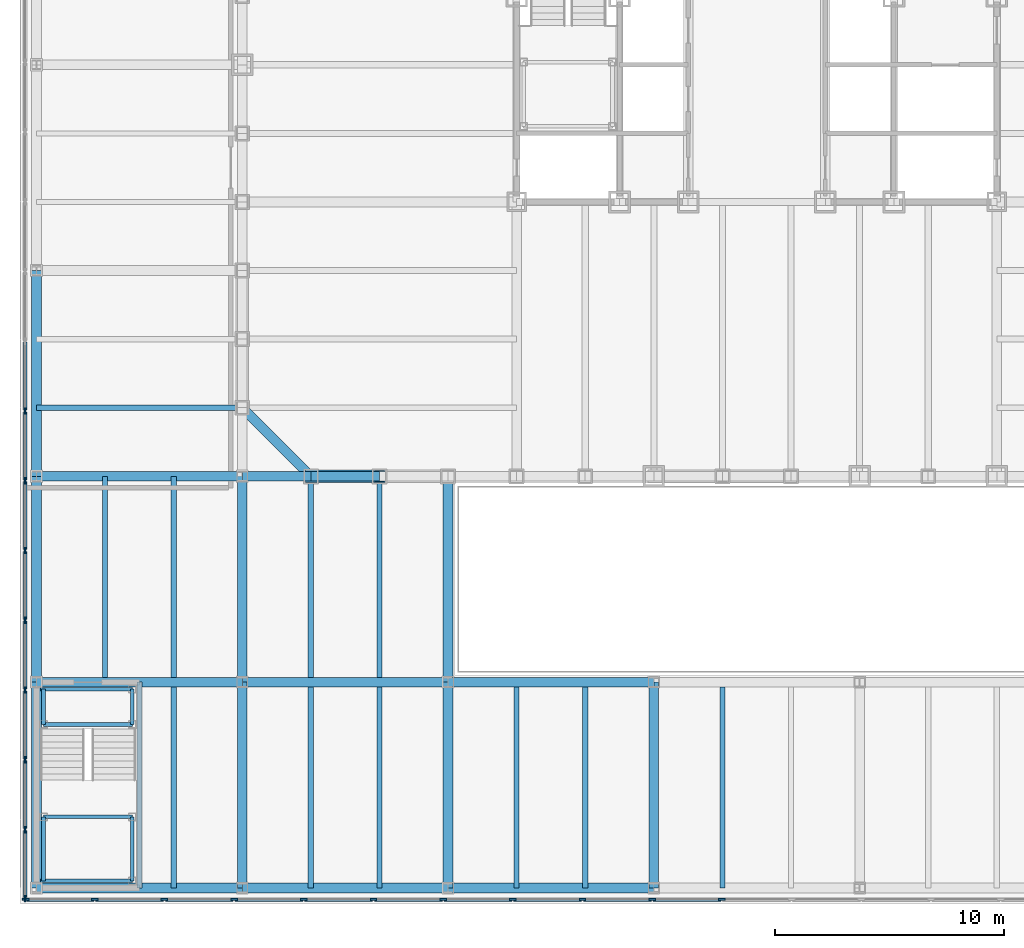
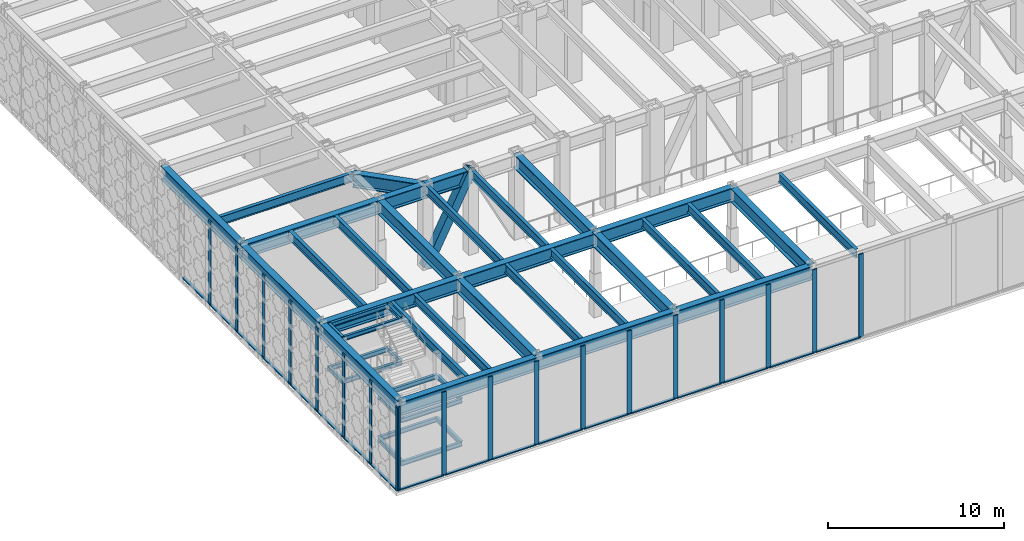
# One storey, part 3 of 32: 46 beams, 38 members, 2 elements without a shape of their own.
"""IFC4 building model written with IfcOpenShell, lengths in metres."""

from ifc_helpers import new_model, si_unit, direction, frame, origin, origin_2d, place, context, subcontext, project, spatial, rectangle, hollow_rectangle, i_section, extrude, material, layer, layer_set, material_profile, profile_set, type_object, element, aggregate, save


model = new_model("IFC4")

# Units and contexts
model_context = context("Model", 3, precision=1e-05, world=origin(), true_north=direction((0.0, 1.0)))
body_context = subcontext(model_context, "Body", "Model", "MODEL_VIEW")
ifc_project = project(units=[si_unit("LENGTHUNIT", "METRE"), si_unit("AREAUNIT", "SQUARE_METRE"), si_unit("VOLUMEUNIT", "CUBIC_METRE"), si_unit("PLANEANGLEUNIT", "RADIAN"), si_unit("MASSUNIT", "GRAM", prefix="KILO")], contexts=[model_context])

# Site, building, storey
site_placement = place(None, origin())
site = spatial("IfcSite", under=ifc_project, at=site_placement, CompositionType="ELEMENT")
building_placement = place(site_placement, origin())
building = spatial("IfcBuilding", under=site, at=building_placement, Name="Chuquiago Exchange Tower", CompositionType="ELEMENT")
storey_placement = place(building_placement, frame((0.0, 0.0, 13.5)))
storey = spatial("IfcBuildingStorey", under=building, at=storey_placement, Name="L02", CompositionType="ELEMENT", Elevation=13.5)

# Curtain wall, members
ifc_material_1 = material(Name="Aluminium curtain wall system", Category="aluminium")
ifc_layer = layer(ifc_material_1, 0.300048828125)
ifc_layer_set = layer_set([ifc_layer], Name="CW4 podium curtain wall")
curtain_wall_type = type_object("IfcCurtainWallType", Name="CW4 podium curtain wall", PredefinedType="NOTDEFINED", material=ifc_layer_set)
curtain_wall_1_placement = place(storey_placement, origin())
curtain_wall_1 = element("IfcCurtainWall", 1, at=curtain_wall_1_placement, inside=storey, type_object=curtain_wall_type, Name="CW4 curtain wall L02", PredefinedType="NOTDEFINED")
ifc_material_2 = material(Name="Aluminium mullion, pale anodised", Category="aluminium")
ifc_material_profile_1 = material_profile(ifc_material_2, rectangle(XDim=0.074951171875, YDim=0.300048828125, at=origin_2d()), Name="AL 75x300")
ifc_profile_set_1 = profile_set([ifc_material_profile_1], Name="Aluminium mullion, pale anodised")
member_type_1 = type_object("IfcMemberType", Name="CW4-M mullion 75x300", PredefinedType="MULLION", material=ifc_profile_set_1)
member_1_placement = place(storey_placement, frame((-9.46240234375, -18.5, 0.0), z_axis=(0.0, 0.0, 1.0), x_axis=(0.0, 1.0, 0.0)))
member_1 = element("IfcMember", 2, at=member_1_placement, type_object=member_type_1, Name="CW4 mullion 1", PredefinedType="MULLION", context=body_context, shape_type="SweptSolid", body=[
    extrude(rectangle(XDim=0.074951171875, YDim=0.300048828125, at=origin_2d()), origin(), (0.0, 0.0, 1.0), 5.800048828125),
])
member_2_placement = place(storey_placement, frame((-6.452392578125, -18.5, 0.0), z_axis=(0.0, 0.0, 1.0), x_axis=(0.0, 1.0, 0.0)))
member_2 = element("IfcMember", 3, at=member_2_placement, type_object=member_type_1, Name="CW4 mullion 2", PredefinedType="MULLION", context=body_context, shape_type="SweptSolid", body=[
    extrude(rectangle(XDim=0.074951171875, YDim=0.300048828125, at=origin_2d()), origin(), (0.0, 0.0, 1.0), 5.800048828125),
])
member_3_placement = place(storey_placement, frame((-3.40478515625, -18.5, 0.0), z_axis=(0.0, 0.0, 1.0), x_axis=(0.0, 1.0, 0.0)))
member_3 = element("IfcMember", 4, at=member_3_placement, type_object=member_type_1, Name="CW4 mullion 3", PredefinedType="MULLION", context=body_context, shape_type="SweptSolid", body=[
    extrude(rectangle(XDim=0.074951171875, YDim=0.300048828125, at=origin_2d()), origin(), (0.0, 0.0, 1.0), 5.800048828125),
])
member_4_placement = place(storey_placement, frame((-0.357177734375, -18.5, 0.0), z_axis=(0.0, 0.0, 1.0), x_axis=(0.0, 1.0, 0.0)))
member_4 = element("IfcMember", 5, at=member_4_placement, type_object=member_type_1, Name="CW4 mullion 4", PredefinedType="MULLION", context=body_context, shape_type="SweptSolid", body=[
    extrude(rectangle(XDim=0.074951171875, YDim=0.300048828125, at=origin_2d()), origin(), (0.0, 0.0, 1.0), 5.800048828125),
])
member_5_placement = place(storey_placement, frame((2.6904296875, -18.5, 0.0), z_axis=(0.0, 0.0, 1.0), x_axis=(0.0, 1.0, 0.0)))
member_5 = element("IfcMember", 6, at=member_5_placement, type_object=member_type_1, Name="CW4 mullion 5", PredefinedType="MULLION", context=body_context, shape_type="SweptSolid", body=[
    extrude(rectangle(XDim=0.074951171875, YDim=0.300048828125, at=origin_2d()), origin(), (0.0, 0.0, 1.0), 5.800048828125),
])
member_6_placement = place(storey_placement, frame((5.738037109375, -18.5, 0.0), z_axis=(0.0, 0.0, 1.0), x_axis=(0.0, 1.0, 0.0)))
member_6 = element("IfcMember", 7, at=member_6_placement, type_object=member_type_1, Name="CW4 mullion 6", PredefinedType="MULLION", context=body_context, shape_type="SweptSolid", body=[
    extrude(rectangle(XDim=0.074951171875, YDim=0.300048828125, at=origin_2d()), origin(), (0.0, 0.0, 1.0), 5.800048828125),
])
member_7_placement = place(storey_placement, frame((8.78564453125, -18.5, 0.0), z_axis=(0.0, 0.0, 1.0), x_axis=(0.0, 1.0, 0.0)))
member_7 = element("IfcMember", 8, at=member_7_placement, type_object=member_type_1, Name="CW4 mullion 7", PredefinedType="MULLION", context=body_context, shape_type="SweptSolid", body=[
    extrude(rectangle(XDim=0.074951171875, YDim=0.300048828125, at=origin_2d()), origin(), (0.0, 0.0, 1.0), 5.800048828125),
])
member_8_placement = place(storey_placement, frame((11.833251953125, -18.5, 0.0), z_axis=(0.0, 0.0, 1.0), x_axis=(0.0, 1.0, 0.0)))
member_8 = element("IfcMember", 9, at=member_8_placement, type_object=member_type_1, Name="CW4 mullion 8", PredefinedType="MULLION", context=body_context, shape_type="SweptSolid", body=[
    extrude(rectangle(XDim=0.074951171875, YDim=0.300048828125, at=origin_2d()), origin(), (0.0, 0.0, 1.0), 5.800048828125),
])
member_9_placement = place(storey_placement, frame((14.880859375, -18.5, 0.0), z_axis=(0.0, 0.0, 1.0), x_axis=(0.0, 1.0, 0.0)))
member_9 = element("IfcMember", 10, at=member_9_placement, type_object=member_type_1, Name="CW4 mullion 9", PredefinedType="MULLION", context=body_context, shape_type="SweptSolid", body=[
    extrude(rectangle(XDim=0.074951171875, YDim=0.300048828125, at=origin_2d()), origin(), (0.0, 0.0, 1.0), 5.800048828125),
])
member_10_placement = place(storey_placement, frame((17.928466796875, -18.5, 0.0), z_axis=(0.0, 0.0, 1.0), x_axis=(0.0, 1.0, 0.0)))
member_10 = element("IfcMember", 11, at=member_10_placement, type_object=member_type_1, Name="CW4 mullion 10", PredefinedType="MULLION", context=body_context, shape_type="SweptSolid", body=[
    extrude(rectangle(XDim=0.074951171875, YDim=0.300048828125, at=origin_2d()), origin(), (0.0, 0.0, 1.0), 5.800048828125),
])
member_11_placement = place(storey_placement, frame((20.97607421875, -18.5, 0.0), z_axis=(0.0, 0.0, 1.0), x_axis=(0.0, 1.0, 0.0)))
member_11 = element("IfcMember", 12, at=member_11_placement, type_object=member_type_1, Name="CW4 mullion 11", PredefinedType="MULLION", context=body_context, shape_type="SweptSolid", body=[
    extrude(rectangle(XDim=0.074951171875, YDim=0.300048828125, at=origin_2d()), origin(), (0.0, 0.0, 1.0), 5.800048828125),
])

curtain_wall_2_placement = place(storey_placement, origin())
curtain_wall_2 = element("IfcCurtainWall", 13, at=curtain_wall_2_placement, inside=storey, type_object=curtain_wall_type, Name="CW4 curtain wall L02", PredefinedType="NOTDEFINED")
member_12_placement = place(storey_placement, frame((-9.5, 2.8583984375, 0.0), z_axis=(0.0, 0.0, 1.0), x_axis=(1.0, 0.0, 0.0)))
member_12 = element("IfcMember", 14, at=member_12_placement, type_object=member_type_1, Name="CW4 mullion 15", PredefinedType="MULLION", context=body_context, shape_type="SweptSolid", body=[
    extrude(rectangle(XDim=0.074951171875, YDim=0.300048828125, at=origin_2d()), origin(), (0.0, 0.0, 1.0), 5.800048828125),
])
member_13_placement = place(storey_placement, frame((-9.5, -0.19287109375, 0.0), z_axis=(0.0, 0.0, 1.0), x_axis=(1.0, 0.0, 0.0)))
member_13 = element("IfcMember", 15, at=member_13_placement, type_object=member_type_1, Name="CW4 mullion 16", PredefinedType="MULLION", context=body_context, shape_type="SweptSolid", body=[
    extrude(rectangle(XDim=0.074951171875, YDim=0.300048828125, at=origin_2d()), origin(), (0.0, 0.0, 1.0), 5.800048828125),
])
member_14_placement = place(storey_placement, frame((-9.5, -3.244140625, 0.0), z_axis=(0.0, 0.0, 1.0), x_axis=(1.0, 0.0, 0.0)))
member_14 = element("IfcMember", 16, at=member_14_placement, type_object=member_type_1, Name="CW4 mullion 17", PredefinedType="MULLION", context=body_context, shape_type="SweptSolid", body=[
    extrude(rectangle(XDim=0.074951171875, YDim=0.300048828125, at=origin_2d()), origin(), (0.0, 0.0, 1.0), 5.800048828125),
])
member_15_placement = place(storey_placement, frame((-9.5, -6.295166015625, 0.0), z_axis=(0.0, 0.0, 1.0), x_axis=(1.0, 0.0, 0.0)))
member_15 = element("IfcMember", 17, at=member_15_placement, type_object=member_type_1, Name="CW4 mullion 18", PredefinedType="MULLION", context=body_context, shape_type="SweptSolid", body=[
    extrude(rectangle(XDim=0.074951171875, YDim=0.300048828125, at=origin_2d()), origin(), (0.0, 0.0, 1.0), 5.800048828125),
])
member_16_placement = place(storey_placement, frame((-9.5, -9.346435546875, 0.0), z_axis=(0.0, 0.0, 1.0), x_axis=(1.0, 0.0, 0.0)))
member_16 = element("IfcMember", 18, at=member_16_placement, type_object=member_type_1, Name="CW4 mullion 19", PredefinedType="MULLION", context=body_context, shape_type="SweptSolid", body=[
    extrude(rectangle(XDim=0.074951171875, YDim=0.300048828125, at=origin_2d()), origin(), (0.0, 0.0, 1.0), 5.800048828125),
])
member_17_placement = place(storey_placement, frame((-9.5, -12.397705078125, 0.0), z_axis=(0.0, 0.0, 1.0), x_axis=(1.0, 0.0, 0.0)))
member_17 = element("IfcMember", 19, at=member_17_placement, type_object=member_type_1, Name="CW4 mullion 20", PredefinedType="MULLION", context=body_context, shape_type="SweptSolid", body=[
    extrude(rectangle(XDim=0.074951171875, YDim=0.300048828125, at=origin_2d()), origin(), (0.0, 0.0, 1.0), 5.800048828125),
])
member_18_placement = place(storey_placement, frame((-9.5, -15.44873046875, 0.0), z_axis=(0.0, 0.0, 1.0), x_axis=(1.0, 0.0, 0.0)))
member_18 = element("IfcMember", 20, at=member_18_placement, type_object=member_type_1, Name="CW4 mullion 21", PredefinedType="MULLION", context=body_context, shape_type="SweptSolid", body=[
    extrude(rectangle(XDim=0.074951171875, YDim=0.300048828125, at=origin_2d()), origin(), (0.0, 0.0, 1.0), 5.800048828125),
])
member_19_placement = place(storey_placement, frame((-9.5, -18.46240234375, 0.0), z_axis=(0.0, 0.0, 1.0), x_axis=(1.0, 0.0, 0.0)))
member_19 = element("IfcMember", 21, at=member_19_placement, type_object=member_type_1, Name="CW4 mullion 22", PredefinedType="MULLION", context=body_context, shape_type="SweptSolid", body=[
    extrude(rectangle(XDim=0.074951171875, YDim=0.300048828125, at=origin_2d()), origin(), (0.0, 0.0, 1.0), 5.800048828125),
])

# Member
ifc_material_3 = material(Name="Aluminium transom, pale anodised", Category="aluminium")
ifc_material_profile_2 = material_profile(ifc_material_3, rectangle(XDim=0.179931640625, YDim=0.074951171875, at=origin_2d()), Name="AL 180x75")
ifc_profile_set_2 = profile_set([ifc_material_profile_2], Name="Aluminium transom, pale anodised")
member_type_2 = type_object("IfcMemberType", Name="CW4-T transom 75x180", PredefinedType="MULLION", material=ifc_profile_set_2)
member_20_placement = place(storey_placement, frame((-9.425048828125, -18.5, 0.03759765625), z_axis=(1.0, 0.0, 0.0), x_axis=(0.0, 1.0, 0.0)))
member_20 = element("IfcMember", 22, at=member_20_placement, type_object=member_type_2, Name="CW4 transom 1.1", PredefinedType="MULLION", context=body_context, shape_type="SweptSolid", body=[
    extrude(rectangle(XDim=0.179931640625, YDim=0.074951171875, at=origin_2d()), origin(), (0.0, 0.0, 1.0), 2.93505859375),
])

member_21_placement = place(storey_placement, frame((-6.414794921875, -18.5, 0.03759765625), z_axis=(1.0, 0.0, 0.0), x_axis=(0.0, 1.0, 0.0)))
member_21 = element("IfcMember", 23, at=member_21_placement, type_object=member_type_2, Name="CW4 transom 2.1", PredefinedType="MULLION", context=body_context, shape_type="SweptSolid", body=[
    extrude(rectangle(XDim=0.179931640625, YDim=0.074951171875, at=origin_2d()), origin(), (0.0, 0.0, 1.0), 2.972412109375),
])

member_22_placement = place(storey_placement, frame((-3.3671875, -18.5, 0.03759765625), z_axis=(1.0, 0.0, 0.0), x_axis=(0.0, 1.0, 0.0)))
member_22 = element("IfcMember", 24, at=member_22_placement, type_object=member_type_2, Name="CW4 transom 3.1", PredefinedType="MULLION", context=body_context, shape_type="SweptSolid", body=[
    extrude(rectangle(XDim=0.179931640625, YDim=0.074951171875, at=origin_2d()), origin(), (0.0, 0.0, 1.0), 2.97265625),
])

member_23_placement = place(storey_placement, frame((-0.319580078125, -18.5, 0.03759765625), z_axis=(1.0, 0.0, 0.0), x_axis=(0.0, 1.0, 0.0)))
member_23 = element("IfcMember", 25, at=member_23_placement, type_object=member_type_2, Name="CW4 transom 4.1", PredefinedType="MULLION", context=body_context, shape_type="SweptSolid", body=[
    extrude(rectangle(XDim=0.179931640625, YDim=0.074951171875, at=origin_2d()), origin(), (0.0, 0.0, 1.0), 2.97265625),
])

member_24_placement = place(storey_placement, frame((2.72802734375, -18.5, 0.03759765625), z_axis=(1.0, 0.0, 0.0), x_axis=(0.0, 1.0, 0.0)))
member_24 = element("IfcMember", 26, at=member_24_placement, type_object=member_type_2, Name="CW4 transom 5.1", PredefinedType="MULLION", context=body_context, shape_type="SweptSolid", body=[
    extrude(rectangle(XDim=0.179931640625, YDim=0.074951171875, at=origin_2d()), origin(), (0.0, 0.0, 1.0), 2.97265625),
])

member_25_placement = place(storey_placement, frame((5.775634765625, -18.5, 0.03759765625), z_axis=(1.0, 0.0, 0.0), x_axis=(0.0, 1.0, 0.0)))
member_25 = element("IfcMember", 27, at=member_25_placement, type_object=member_type_2, Name="CW4 transom 6.1", PredefinedType="MULLION", context=body_context, shape_type="SweptSolid", body=[
    extrude(rectangle(XDim=0.179931640625, YDim=0.074951171875, at=origin_2d()), origin(), (0.0, 0.0, 1.0), 2.97265625),
])

member_26_placement = place(storey_placement, frame((8.8232421875, -18.5, 0.03759765625), z_axis=(1.0, 0.0, 0.0), x_axis=(0.0, 1.0, 0.0)))
member_26 = element("IfcMember", 28, at=member_26_placement, type_object=member_type_2, Name="CW4 transom 7.1", PredefinedType="MULLION", context=body_context, shape_type="SweptSolid", body=[
    extrude(rectangle(XDim=0.179931640625, YDim=0.074951171875, at=origin_2d()), origin(), (0.0, 0.0, 1.0), 2.97265625),
])

member_27_placement = place(storey_placement, frame((11.870849609375, -18.5, 0.03759765625), z_axis=(1.0, 0.0, 0.0), x_axis=(0.0, 1.0, 0.0)))
member_27 = element("IfcMember", 29, at=member_27_placement, type_object=member_type_2, Name="CW4 transom 8.1", PredefinedType="MULLION", context=body_context, shape_type="SweptSolid", body=[
    extrude(rectangle(XDim=0.179931640625, YDim=0.074951171875, at=origin_2d()), origin(), (0.0, 0.0, 1.0), 2.97265625),
])

member_28_placement = place(storey_placement, frame((14.91845703125, -18.5, 0.03759765625), z_axis=(1.0, 0.0, 0.0), x_axis=(0.0, 1.0, 0.0)))
member_28 = element("IfcMember", 30, at=member_28_placement, type_object=member_type_2, Name="CW4 transom 9.1", PredefinedType="MULLION", context=body_context, shape_type="SweptSolid", body=[
    extrude(rectangle(XDim=0.179931640625, YDim=0.074951171875, at=origin_2d()), origin(), (0.0, 0.0, 1.0), 2.97265625),
])

member_29_placement = place(storey_placement, frame((17.966064453125, -18.5, 0.03759765625), z_axis=(1.0, 0.0, 0.0), x_axis=(0.0, 1.0, 0.0)))
member_29 = element("IfcMember", 31, at=member_29_placement, type_object=member_type_2, Name="CW4 transom 10.1", PredefinedType="MULLION", context=body_context, shape_type="SweptSolid", body=[
    extrude(rectangle(XDim=0.179931640625, YDim=0.074951171875, at=origin_2d()), origin(), (0.0, 0.0, 1.0), 2.97265625),
])

aggregate(curtain_wall_1, [member_1, member_2, member_3, member_4, member_5, member_6, member_7, member_8, member_9, member_10, member_11, member_20, member_21, member_22, member_23, member_24, member_25, member_26, member_27, member_28, member_29])

member_30_placement = place(storey_placement, frame((-9.5, 5.8720703125, 0.03759765625), z_axis=(0.0, -1.0, 0.0), x_axis=(1.0, 0.0, 0.0)))
member_30 = element("IfcMember", 32, at=member_30_placement, type_object=member_type_2, Name="CW4 transom 14.1", PredefinedType="MULLION", context=body_context, shape_type="SweptSolid", body=[
    extrude(rectangle(XDim=0.179931640625, YDim=0.074951171875, at=origin_2d()), origin(), (0.0, 0.0, 1.0), 2.976318359375),
])

member_31_placement = place(storey_placement, frame((-9.5, 2.82080078125, 0.03759765625), z_axis=(0.0, -1.0, 0.0), x_axis=(1.0, 0.0, 0.0)))
member_31 = element("IfcMember", 33, at=member_31_placement, type_object=member_type_2, Name="CW4 transom 15.1", PredefinedType="MULLION", context=body_context, shape_type="SweptSolid", body=[
    extrude(rectangle(XDim=0.179931640625, YDim=0.074951171875, at=origin_2d()), origin(), (0.0, 0.0, 1.0), 2.97607421875),
])

member_32_placement = place(storey_placement, frame((-9.5, -0.23046875, 0.03759765625), z_axis=(0.0, -1.0, 0.0), x_axis=(1.0, 0.0, 0.0)))
member_32 = element("IfcMember", 34, at=member_32_placement, type_object=member_type_2, Name="CW4 transom 16.1", PredefinedType="MULLION", context=body_context, shape_type="SweptSolid", body=[
    extrude(rectangle(XDim=0.179931640625, YDim=0.074951171875, at=origin_2d()), origin(), (0.0, 0.0, 1.0), 2.97607421875),
])

member_33_placement = place(storey_placement, frame((-9.5, -3.281494140625, 0.03759765625), z_axis=(0.0, -1.0, 0.0), x_axis=(1.0, 0.0, 0.0)))
member_33 = element("IfcMember", 35, at=member_33_placement, type_object=member_type_2, Name="CW4 transom 17.1", PredefinedType="MULLION", context=body_context, shape_type="SweptSolid", body=[
    extrude(rectangle(XDim=0.179931640625, YDim=0.074951171875, at=origin_2d()), origin(), (0.0, 0.0, 1.0), 2.976318359375),
])

member_34_placement = place(storey_placement, frame((-9.5, -6.332763671875, 0.03759765625), z_axis=(0.0, -1.0, 0.0), x_axis=(1.0, 0.0, 0.0)))
member_34 = element("IfcMember", 36, at=member_34_placement, type_object=member_type_2, Name="CW4 transom 18.1", PredefinedType="MULLION", context=body_context, shape_type="SweptSolid", body=[
    extrude(rectangle(XDim=0.179931640625, YDim=0.074951171875, at=origin_2d()), origin(), (0.0, 0.0, 1.0), 2.97607421875),
])

member_35_placement = place(storey_placement, frame((-9.5, -9.384033203125, 0.03759765625), z_axis=(0.0, -1.0, 0.0), x_axis=(1.0, 0.0, 0.0)))
member_35 = element("IfcMember", 37, at=member_35_placement, type_object=member_type_2, Name="CW4 transom 19.1", PredefinedType="MULLION", context=body_context, shape_type="SweptSolid", body=[
    extrude(rectangle(XDim=0.179931640625, YDim=0.074951171875, at=origin_2d()), origin(), (0.0, 0.0, 1.0), 2.97607421875),
])

member_36_placement = place(storey_placement, frame((-9.5, -12.43505859375, 0.03759765625), z_axis=(0.0, -1.0, 0.0), x_axis=(1.0, 0.0, 0.0)))
member_36 = element("IfcMember", 38, at=member_36_placement, type_object=member_type_2, Name="CW4 transom 20.1", PredefinedType="MULLION", context=body_context, shape_type="SweptSolid", body=[
    extrude(rectangle(XDim=0.179931640625, YDim=0.074951171875, at=origin_2d()), origin(), (0.0, 0.0, 1.0), 2.976318359375),
])

member_37_placement = place(storey_placement, frame((-9.5, -15.486328125, 0.03759765625), z_axis=(0.0, -1.0, 0.0), x_axis=(1.0, 0.0, 0.0)))
member_37 = element("IfcMember", 39, at=member_37_placement, type_object=member_type_2, Name="CW4 transom 21.1", PredefinedType="MULLION", context=body_context, shape_type="SweptSolid", body=[
    extrude(rectangle(XDim=0.179931640625, YDim=0.074951171875, at=origin_2d()), origin(), (0.0, 0.0, 1.0), 2.938720703125),
])

aggregate(curtain_wall_2, [member_12, member_13, member_14, member_15, member_16, member_17, member_18, member_19, member_30, member_31, member_32, member_33, member_34, member_35, member_36, member_37])

# Beams
ifc_material_4 = material(Name="Steel ASTM A992", Category="steel")
ifc_material_profile_3 = material_profile(ifc_material_4, i_section(OverallWidth=0.164794921875, OverallDepth=0.309814453125, WebThickness=0.005859375, FlangeThickness=0.009765625, at=origin_2d()), Name="W12X26")
ifc_profile_set_3 = profile_set([ifc_material_profile_3], Name="Steel ASTM A992")
beam_type_1 = type_object("IfcBeamType", Name="LS1 W12X26", PredefinedType="BEAM", material=ifc_profile_set_3)
for number, where, z_axis, x_axis, name in (
    (40, (-8.68994140625, -17.68994140625, 1.14501953125), (0.0, 1.0, 0.0), (-1.0, 0.0, 0.0), "Stair PS1 L02 landing 1 stringer"),
    (41, (-4.81005859375, -17.68994140625, 1.14501953125), (0.0, 1.0, 0.0), (-1.0, 0.0, 0.0), "Stair PS1 L02 landing 1 stringer"),
):
    element("IfcBeam", number, at=place(storey_placement, frame(where, z_axis=z_axis, x_axis=x_axis)), inside=storey, type_object=beam_type_1, Name=name, PredefinedType="BEAM", context=body_context, shape_type="SweptSolid", body=[
        extrude(i_section(OverallWidth=0.164794921875, OverallDepth=0.309814453125, WebThickness=0.005859375, FlangeThickness=0.009765625, at=origin_2d()), origin(), (0.0, 0.0, 1.0), 2.800048828125),
    ])
for number, where, z_axis, x_axis, name in (
    (42, (-8.68994140625, -10.85009765625, 2.64501953125), (0.0, 1.0, 0.0), (-1.0, 0.0, 0.0), "Stair PS1 L02 landing 2 stringer"),
    (43, (-4.81005859375, -10.85009765625, 2.64501953125), (0.0, 1.0, 0.0), (-1.0, 0.0, 0.0), "Stair PS1 L02 landing 2 stringer"),
):
    element("IfcBeam", number, at=place(storey_placement, frame(where, z_axis=z_axis, x_axis=x_axis)), inside=storey, type_object=beam_type_1, Name=name, PredefinedType="BEAM", context=body_context, shape_type="SweptSolid", body=[
        extrude(i_section(OverallWidth=0.164794921875, OverallDepth=0.309814453125, WebThickness=0.005859375, FlangeThickness=0.009765625, at=origin_2d()), origin(), (0.0, 0.0, 1.0), 1.5400390625),
    ])
for number, where, z_axis, x_axis, name in (
    (44, (-8.68994140625, -17.68994140625, 4.14501953125), (0.0, 1.0, 0.0), (-1.0, 0.0, 0.0), "Stair PS1 L02 landing 3 stringer"),
    (45, (-4.81005859375, -17.68994140625, 4.14501953125), (0.0, 1.0, 0.0), (-1.0, 0.0, 0.0), "Stair PS1 L02 landing 3 stringer"),
):
    element("IfcBeam", number, at=place(storey_placement, frame(where, z_axis=z_axis, x_axis=x_axis)), inside=storey, type_object=beam_type_1, Name=name, PredefinedType="BEAM", context=body_context, shape_type="SweptSolid", body=[
        extrude(i_section(OverallWidth=0.164794921875, OverallDepth=0.309814453125, WebThickness=0.005859375, FlangeThickness=0.009765625, at=origin_2d()), origin(), (0.0, 0.0, 1.0), 2.800048828125),
    ])
for number, where, z_axis, x_axis, name in (
    (46, (-8.68994140625, -10.85009765625, 5.64501953125), (0.0, 1.0, 0.0), (-1.0, 0.0, 0.0), "Stair PS1 top landing stringer"),
    (47, (-4.81005859375, -10.85009765625, 5.64501953125), (0.0, 1.0, 0.0), (-1.0, 0.0, 0.0), "Stair PS1 top landing stringer"),
):
    element("IfcBeam", number, at=place(storey_placement, frame(where, z_axis=z_axis, x_axis=x_axis)), inside=storey, type_object=beam_type_1, Name=name, PredefinedType="BEAM", context=body_context, shape_type="SweptSolid", body=[
        extrude(i_section(OverallWidth=0.164794921875, OverallDepth=0.309814453125, WebThickness=0.005859375, FlangeThickness=0.009765625, at=origin_2d()), origin(), (0.0, 0.0, 1.0), 1.5400390625),
    ])
ifc_material_5 = material(Name="Steel ASTM A992", Category="steel")
ifc_material_profile_4 = material_profile(ifc_material_5, i_section(OverallWidth=0.164794921875, OverallDepth=0.309814453125, WebThickness=0.005859375, FlangeThickness=0.009765625, at=origin_2d()), Name="W12X26")
ifc_profile_set_4 = profile_set([ifc_material_profile_4], Name="Steel ASTM A992")
beam_type_2 = type_object("IfcBeamType", Name="LT1 W12X26", PredefinedType="BEAM", material=ifc_profile_set_4)
beam_1_placement = place(storey_placement, frame((-8.814208984375, -17.68994140625, 1.14501953125), z_axis=(1.0, 0.0, 0.0), x_axis=(0.0, 1.0, 0.0)))
element("IfcBeam", 48, at=beam_1_placement, inside=storey, type_object=beam_type_2, Name="Stair PS1 L02 landing 1 trimmer", PredefinedType="BEAM", context=body_context, shape_type="SweptSolid", body=[
    extrude(i_section(OverallWidth=0.164794921875, OverallDepth=0.309814453125, WebThickness=0.005859375, FlangeThickness=0.009765625, at=origin_2d()), origin(), (0.0, 0.0, 1.0), 4.004150390625),
])
for number, where, z_axis, x_axis, name in (
    (49, (-8.68994140625, -14.889892578125, 1.14501953125), (1.0, 0.0, 0.0), (0.0, 1.0, 0.0), "Stair PS1 L02 landing 1 trimmer"),
    (50, (-8.68994140625, -10.85009765625, 2.64501953125), (1.0, 0.0, 0.0), (0.0, 1.0, 0.0), "Stair PS1 L02 landing 2 trimmer"),
):
    element("IfcBeam", number, at=place(storey_placement, frame(where, z_axis=z_axis, x_axis=x_axis)), inside=storey, type_object=beam_type_2, Name=name, PredefinedType="BEAM", context=body_context, shape_type="SweptSolid", body=[
        extrude(i_section(OverallWidth=0.164794921875, OverallDepth=0.309814453125, WebThickness=0.005859375, FlangeThickness=0.009765625, at=origin_2d()), origin(), (0.0, 0.0, 1.0), 3.8798828125),
    ])
for number, where, z_axis, x_axis, name in (
    (51, (-8.814208984375, -9.31005859375, 2.64501953125), (1.0, 0.0, 0.0), (0.0, 1.0, 0.0), "Stair PS1 L02 landing 2 trimmer"),
    (52, (-8.814208984375, -17.68994140625, 4.14501953125), (1.0, 0.0, 0.0), (0.0, 1.0, 0.0), "Stair PS1 L02 landing 3 trimmer"),
):
    element("IfcBeam", number, at=place(storey_placement, frame(where, z_axis=z_axis, x_axis=x_axis)), inside=storey, type_object=beam_type_2, Name=name, PredefinedType="BEAM", context=body_context, shape_type="SweptSolid", body=[
        extrude(i_section(OverallWidth=0.164794921875, OverallDepth=0.309814453125, WebThickness=0.005859375, FlangeThickness=0.009765625, at=origin_2d()), origin(), (0.0, 0.0, 1.0), 4.004150390625),
    ])
for number, where, z_axis, x_axis, name in (
    (53, (-8.68994140625, -14.889892578125, 4.14501953125), (1.0, 0.0, 0.0), (0.0, 1.0, 0.0), "Stair PS1 L02 landing 3 trimmer"),
    (54, (-8.68994140625, -10.85009765625, 5.64501953125), (1.0, 0.0, 0.0), (0.0, 1.0, 0.0), "Stair PS1 top landing trimmer"),
):
    element("IfcBeam", number, at=place(storey_placement, frame(where, z_axis=z_axis, x_axis=x_axis)), inside=storey, type_object=beam_type_2, Name=name, PredefinedType="BEAM", context=body_context, shape_type="SweptSolid", body=[
        extrude(i_section(OverallWidth=0.164794921875, OverallDepth=0.309814453125, WebThickness=0.005859375, FlangeThickness=0.009765625, at=origin_2d()), origin(), (0.0, 0.0, 1.0), 3.8798828125),
    ])
beam_2_placement = place(storey_placement, frame((-8.814208984375, -9.31005859375, 5.64501953125), z_axis=(1.0, 0.0, 0.0), x_axis=(0.0, 1.0, 0.0)))
element("IfcBeam", 55, at=beam_2_placement, inside=storey, type_object=beam_type_2, Name="Stair PS1 top landing trimmer", PredefinedType="BEAM", context=body_context, shape_type="SweptSolid", body=[
    extrude(i_section(OverallWidth=0.164794921875, OverallDepth=0.309814453125, WebThickness=0.005859375, FlangeThickness=0.009765625, at=origin_2d()), origin(), (0.0, 0.0, 1.0), 4.004150390625),
])

# Member
ifc_material_6 = material(Name="Steel ASTM A572 Grade 50", Category="steel")
ifc_material_profile_5 = material_profile(ifc_material_6, hollow_rectangle(XDim=0.550048828125, YDim=0.550048828125, WallThickness=0.044921875, at=origin_2d()), Name="BOX550X550X45")
ifc_profile_set_5 = profile_set([ifc_material_profile_5], Name="Steel ASTM A572 Grade 50")
member_type_3 = type_object("IfcMemberType", Name="MB1 BOX550X550X45", PredefinedType="BRACE", material=ifc_profile_set_5)
member_38_placement = place(storey_placement, frame((3.0, 0.0, 0.0), z_axis=(0.456929540486, 0.0, 0.889502892087), x_axis=(0.0, 1.0, 0.0)))
element("IfcMember", 56, at=member_38_placement, inside=storey, type_object=member_type_3, Name="Mega diagonal L02 S face", PredefinedType="BRACE", context=body_context, shape_type="SweptSolid", body=[
    extrude(hollow_rectangle(XDim=0.550048828125, YDim=0.550048828125, WallThickness=0.044921875, at=origin_2d()), origin(), (0.0, 0.0, 1.0), 6.565673828125),
])

# Beams
ifc_material_7 = material(Name="Steel ASTM A992", Category="steel")
ifc_material_profile_6 = material_profile(ifc_material_7, i_section(OverallWidth=0.227783203125, OverallDepth=0.60205078125, WebThickness=0.010498046875, FlangeThickness=0.014892578125, at=origin_2d()), Name="W24X68")
ifc_profile_set_6 = profile_set([ifc_material_profile_6], Name="Steel ASTM A992")
beam_type_3 = type_object("IfcBeamType", Name="PB1 W24X68", PredefinedType="BEAM", material=ifc_profile_set_6)
beam_3_placement = place(storey_placement, frame((-4.5, -18.0, 5.4990234375), z_axis=(0.0, 1.0, 0.0), x_axis=(-1.0, 0.0, 0.0)))
element("IfcBeam", 57, at=beam_3_placement, inside=storey, type_object=beam_type_3, Name="PT-L03-PS1", PredefinedType="BEAM", context=body_context, shape_type="SweptSolid", body=[
    extrude(i_section(OverallWidth=0.227783203125, OverallDepth=0.60205078125, WebThickness=0.010498046875, FlangeThickness=0.014892578125, at=origin_2d()), origin(), (0.0, 0.0, 1.0), 9.0),
])
for number, where, z_axis, x_axis, name in (
    (58, (-6.0, -8.787841796875, 5.4990234375), (0.0, 1.0, 0.0), (-1.0, 0.0, 0.0), "PB-L03--6_-9"),
    (59, (-3.0, -18.0, 5.4990234375), (0.0, 1.0, 0.0), (-1.0, 0.0, 0.0), "PB-L03--3_-18"),
    (60, (-3.0, -8.787841796875, 5.4990234375), (0.0, 1.0, 0.0), (-1.0, 0.0, 0.0), "PB-L03--3_-9"),
    (61, (3.0, -18.0, 5.4990234375), (0.0, 1.0, 0.0), (-1.0, 0.0, 0.0), "PB-L03-3_-18"),
    (62, (3.0, -8.787841796875, 5.4990234375), (0.0, 1.0, 0.0), (-1.0, 0.0, 0.0), "PB-L03-3_-9"),
    (63, (6.0, -18.0, 5.4990234375), (0.0, 1.0, 0.0), (-1.0, 0.0, 0.0), "PB-L03-6_-18"),
    (64, (6.0, -8.787841796875, 5.4990234375), (0.0, 1.0, 0.0), (-1.0, 0.0, 0.0), "PB-L03-6_-9"),
    (65, (12.0, -18.0, 5.4990234375), (0.0, 1.0, 0.0), (-1.0, 0.0, 0.0), "PB-L03-12_-18"),
    (66, (15.0, -18.0, 5.4990234375), (0.0, 1.0, 0.0), (-1.0, 0.0, 0.0), "PB-L03-15_-18"),
    (67, (21.0, -18.0, 5.4990234375), (0.0, 1.0, 0.0), (-1.0, 0.0, 0.0), "PB-L03-21_-18"),
):
    element("IfcBeam", number, at=place(storey_placement, frame(where, z_axis=z_axis, x_axis=x_axis)), inside=storey, type_object=beam_type_3, Name=name, PredefinedType="BEAM", context=body_context, shape_type="SweptSolid", body=[
        extrude(i_section(OverallWidth=0.227783203125, OverallDepth=0.60205078125, WebThickness=0.010498046875, FlangeThickness=0.014892578125, at=origin_2d()), origin(), (0.0, 0.0, 1.0), 8.787841796875),
    ])
beam_4_placement = place(storey_placement, frame((-9.0, 3.0, 5.4990234375), z_axis=(1.0, 0.0, 0.0), x_axis=(0.0, 1.0, 0.0)))
element("IfcBeam", 68, at=beam_4_placement, inside=storey, type_object=beam_type_3, Name="PB-L03--9_3", PredefinedType="BEAM", context=body_context, shape_type="SweptSolid", body=[
    extrude(i_section(OverallWidth=0.227783203125, OverallDepth=0.60205078125, WebThickness=0.010498046875, FlangeThickness=0.014892578125, at=origin_2d()), origin(), (0.0, 0.0, 1.0), 9.0),
])
ifc_material_8 = material(Name="Steel ASTM A992", Category="steel")
ifc_material_profile_7 = material_profile(ifc_material_8, i_section(OverallWidth=0.424072265625, OverallDepth=0.947509765625, WebThickness=0.02392578125, FlangeThickness=0.042724609375, at=origin_2d()), Name="W36X302")
ifc_profile_set_7 = profile_set([ifc_material_profile_7], Name="Steel ASTM A992")
beam_type_4 = type_object("IfcBeamType", Name="PG1 W36X302", PredefinedType="BEAM", material=ifc_profile_set_7)
for number, where, z_axis, x_axis, name in (
    (69, (-9.0, -18.0, 5.326416015625), (0.0, 1.0, 0.0), (-1.0, 0.0, 0.0), "PG-L03--9_-18--9_-9"),
    (70, (-9.0, -9.0, 5.326416015625), (0.0, 1.0, 0.0), (-1.0, 0.0, 0.0), "PG-L03--9_-9--9_0"),
    (71, (-9.0, 0.0, 5.326416015625), (0.0, 1.0, 0.0), (-1.0, 0.0, 0.0), "PG-L03--9_0--9_9"),
    (72, (0.0, -18.0, 5.326416015625), (0.0, 1.0, 0.0), (-1.0, 0.0, 0.0), "PG-L03-0_-18-0_-9"),
    (73, (0.0, -9.0, 5.326416015625), (0.0, 1.0, 0.0), (-1.0, 0.0, 0.0), "PG-L03-0_-9-0_0"),
    (74, (9.0, -18.0, 5.326416015625), (0.0, 1.0, 0.0), (-1.0, 0.0, 0.0), "PG-L03-9_-18-9_-9"),
    (75, (9.0, -9.0, 5.326416015625), (0.0, 1.0, 0.0), (-1.0, 0.0, 0.0), "PG-L03-9_-9-9_0"),
    (76, (18.0, -18.0, 5.326416015625), (0.0, 1.0, 0.0), (-1.0, 0.0, 0.0), "PG-L03-18_-18-18_-9"),
    (77, (-9.0, -18.0, 5.326416015625), (1.0, 0.0, 0.0), (0.0, 1.0, 0.0), "PG-L03--9_-18-0_-18"),
    (78, (0.0, -18.0, 5.326416015625), (1.0, 0.0, 0.0), (0.0, 1.0, 0.0), "PG-L03-0_-18-9_-18"),
    (79, (9.0, -18.0, 5.326416015625), (1.0, 0.0, 0.0), (0.0, 1.0, 0.0), "PG-L03-9_-18-18_-18"),
    (80, (-9.0, -9.0, 5.326416015625), (1.0, 0.0, 0.0), (0.0, 1.0, 0.0), "PG-L03--9_-9-0_-9"),
    (81, (0.0, -9.0, 5.326416015625), (1.0, 0.0, 0.0), (0.0, 1.0, 0.0), "PG-L03-0_-9-9_-9"),
    (82, (9.0, -9.0, 5.326416015625), (1.0, 0.0, 0.0), (0.0, 1.0, 0.0), "PG-L03-9_-9-18_-9"),
    (83, (-9.0, 0.0, 5.326416015625), (1.0, 0.0, 0.0), (0.0, 1.0, 0.0), "PG-L03--9_0-0_0"),
):
    element("IfcBeam", number, at=place(storey_placement, frame(where, z_axis=z_axis, x_axis=x_axis)), inside=storey, type_object=beam_type_4, Name=name, PredefinedType="BEAM", context=body_context, shape_type="SweptSolid", body=[
        extrude(i_section(OverallWidth=0.424072265625, OverallDepth=0.947509765625, WebThickness=0.02392578125, FlangeThickness=0.042724609375, at=origin_2d()), origin(), (0.0, 0.0, 1.0), 9.0),
    ])
beam_5_placement = place(storey_placement, frame((0.0, 0.0, 5.326416015625), z_axis=(1.0, 0.0, 0.0), x_axis=(0.0, 1.0, 0.0)))
element("IfcBeam", 84, at=beam_5_placement, inside=storey, type_object=beam_type_4, Name="PG-L03-0_0-3_0", PredefinedType="BEAM", context=body_context, shape_type="SweptSolid", body=[
    extrude(i_section(OverallWidth=0.424072265625, OverallDepth=0.947509765625, WebThickness=0.02392578125, FlangeThickness=0.042724609375, at=origin_2d()), origin(), (0.0, 0.0, 1.0), 3.0),
])
ifc_material_9 = material(Name="Steel ASTM A992", Category="steel")
ifc_material_profile_8 = material_profile(ifc_material_9, i_section(OverallWidth=0.4267578125, OverallDepth=0.95751953125, WebThickness=0.028564453125, FlangeThickness=0.050048828125, at=origin_2d()), Name="W36X361")
ifc_profile_set_8 = profile_set([ifc_material_profile_8], Name="Steel ASTM A992")
beam_type_5 = type_object("IfcBeamType", Name="SP1 W36X361", PredefinedType="SPANDREL", material=ifc_profile_set_8)
beam_6_placement = place(storey_placement, frame((3.0, 0.0, 5.3212890625), z_axis=(1.0, 0.0, 0.0), x_axis=(0.0, 1.0, 0.0)))
element("IfcBeam", 85, at=beam_6_placement, inside=storey, type_object=beam_type_5, Name="SPB-L03-3_0-6_0", PredefinedType="SPANDREL", context=body_context, shape_type="SweptSolid", body=[
    extrude(i_section(OverallWidth=0.4267578125, OverallDepth=0.95751953125, WebThickness=0.028564453125, FlangeThickness=0.050048828125, at=origin_2d()), origin(), (0.0, 0.0, 1.0), 3.0),
])
beam_7_placement = place(storey_placement, frame((0.0, 3.0, 5.3212890625), z_axis=(0.707106781187, -0.707106781187, 0.0), x_axis=(0.707106781187, 0.707106781187, 0.0)))
element("IfcBeam", 86, at=beam_7_placement, inside=storey, type_object=beam_type_5, Name="SPB-L03-0_3-3_0", PredefinedType="SPANDREL", context=body_context, shape_type="SweptSolid", body=[
    extrude(i_section(OverallWidth=0.4267578125, OverallDepth=0.95751953125, WebThickness=0.028564453125, FlangeThickness=0.050048828125, at=origin_2d()), origin(), (0.0, 0.0, 1.0), 4.24267578125),
])

save(model, "model.ifc")
